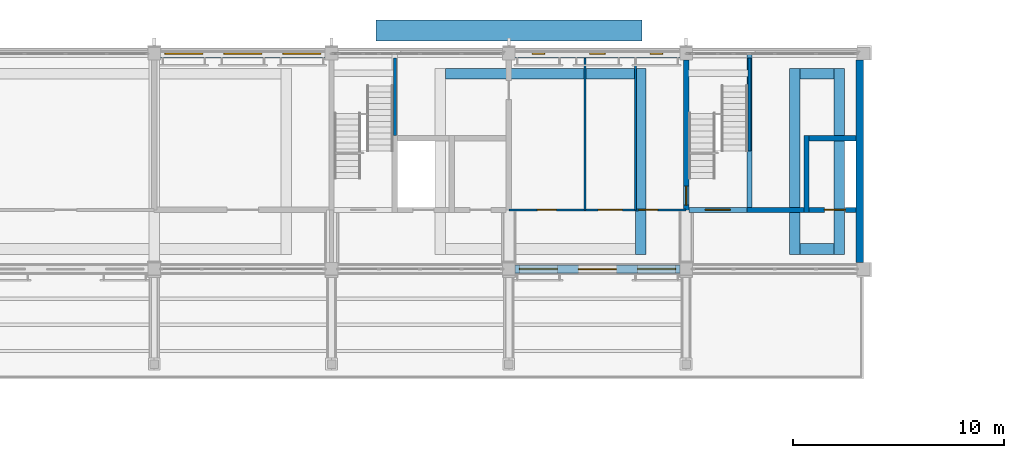
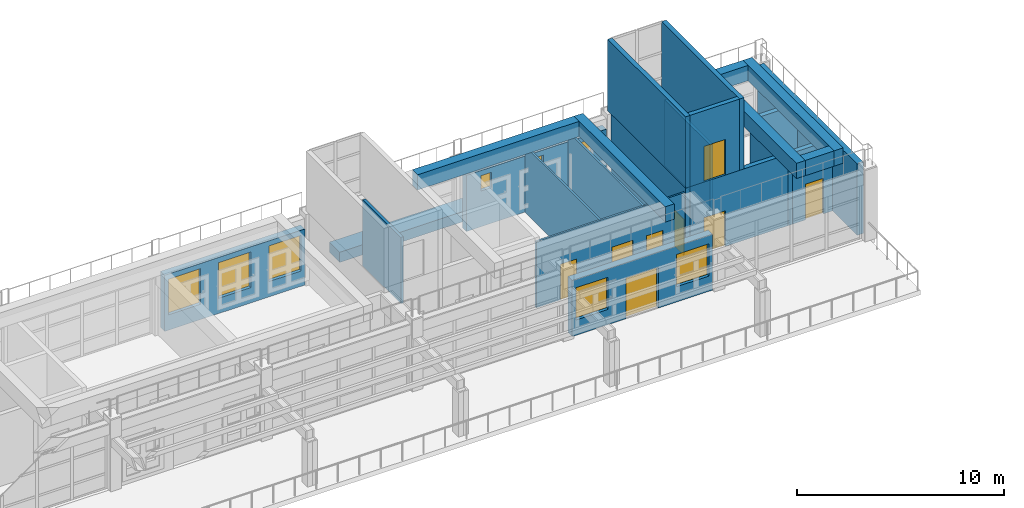
# One storey, part 59 of 105: 24 walls, 8 doors, 8 windows, 16 openings.
"""IFC4 building model written with IfcOpenShell, lengths in metres."""

import ifcopenshell
import ifcopenshell.guid

model = None  # the IFC model being written
_history = None  # IfcOwnerHistory: only IFC2X3 demands one
_inside = {}  # id of a spatial element -> (the spatial element, [elements in it])
_under = {}  # id of a project, library or spatial element -> (it, [spatial elements below it])
_declared = {}  # id of a project -> (the project, [libraries it declares])
_typed = {}  # id of a type object -> (the type object, [elements of that type])
_made_of = {}  # id of a material, layer set ... -> (it, [elements and type objects made of it])


def new_model(schema):
    """Start an empty IFC model of exactly this schema.

    Asked for "IFC4X3", IfcOpenShell would pick the latest addendum, in which some entities
    have other attributes; the version numbers below select the first issue.
    IFC2X3 requires an IfcOwnerHistory on every rooted entity: one is made here for all.
    """
    global model, _history
    if schema == "IFC4X3":
        model = ifcopenshell.file(schema_version=(4, 3, 0, 0))
    else:
        model = ifcopenshell.file(schema=schema)
    _inside.clear()
    _under.clear()
    _declared.clear()
    _typed.clear()
    _made_of.clear()
    _history = None
    if model.schema == "IFC2X3":
        org = make("IfcOrganization", Name="unknown")
        user = make(
            "IfcPersonAndOrganization",
            ThePerson=make("IfcPerson", FamilyName="unknown"),
            TheOrganization=org,
        )
        app = make(
            "IfcApplication",
            ApplicationDeveloper=org,
            Version="unknown",
            ApplicationFullName="unknown",
            ApplicationIdentifier="unknown",
        )
        _history = make(
            "IfcOwnerHistory",
            OwningUser=user,
            OwningApplication=app,
            ChangeAction="ADDED",
            CreationDate=0,
        )
    return model


def make(cls, **values):
    """One entity of the class cls with the attributes given. An attribute that is None is left unset."""
    return model.create_entity(
        cls, **{name: value for name, value in values.items() if value is not None}
    )


def rooted(cls, **values):
    """An entity with a GlobalId (a new one), such as an element, a storey or a relation."""
    return make(cls, GlobalId=ifcopenshell.guid.new(), OwnerHistory=_history, **values)


def si_unit(unit_type, name, prefix=None):
    """IfcSIUnit, for example si_unit("LENGTHUNIT", "METRE", prefix="MILLI")."""
    return make("IfcSIUnit", UnitType=unit_type, Prefix=prefix, Name=name)


def assignment(units):
    """IfcUnitAssignment: the units of a project."""
    return None if units is None else make("IfcUnitAssignment", Units=units)


def point(xyz):
    """IfcCartesianPoint."""
    return None if xyz is None else make("IfcCartesianPoint", Coordinates=xyz)


def direction(xyz):
    """IfcDirection."""
    return None if xyz is None else make("IfcDirection", DirectionRatios=xyz)


def frame(location, z_axis=None, x_axis=None):
    """IfcAxis2Placement3D, a coordinate frame: its origin and axes. An axis left out is left unset."""
    return make(
        "IfcAxis2Placement3D",
        Location=point(location),
        Axis=direction(z_axis),
        RefDirection=direction(x_axis),
    )


def frame_2d(location, x_axis=None):
    """IfcAxis2Placement2D, a coordinate frame in the plane: its origin and x axis."""
    return make(
        "IfcAxis2Placement2D", Location=point(location), RefDirection=direction(x_axis)
    )


def origin():
    """The frame at (0, 0, 0) with its axes left unset."""
    return frame((0.0, 0.0, 0.0))


def place(relative_to, where):
    """IfcLocalPlacement: puts the frame where relative to a parent placement (None: the world)."""
    return make(
        "IfcLocalPlacement", PlacementRelTo=relative_to, RelativePlacement=where
    )


def context(
    kind, dimensions, precision=None, world=None, true_north=None, identifier=None
):
    """IfcGeometricRepresentationContext, for example the 3D "Model" context."""
    return make(
        "IfcGeometricRepresentationContext",
        ContextIdentifier=identifier,
        ContextType=kind,
        CoordinateSpaceDimension=dimensions,
        Precision=precision,
        WorldCoordinateSystem=world,
        TrueNorth=true_north,
    )


def subcontext(parent, identifier, kind, view, scale=None):
    """IfcGeometricRepresentationSubContext, for example "Body" below "Model"."""
    return make(
        "IfcGeometricRepresentationSubContext",
        ContextIdentifier=identifier,
        ContextType=kind,
        ParentContext=parent,
        TargetScale=scale,
        TargetView=view,
    )


def project(units=None, contexts=None):
    """IfcProject with its units and contexts."""
    return rooted(
        "IfcProject",
        Name="project",
        RepresentationContexts=contexts,
        UnitsInContext=assignment(units),
    )


def spatial(cls, under=None, at=None, **own):
    """A site, building, storey or space (cls), placed at a placement, below another one or the project."""
    s = rooted(cls, ObjectPlacement=at, **own)
    if under is not None:
        _under.setdefault(under.id(), (under, []))[1].append(s)
    return s


def profile(cls, at=None, kind="AREA", **sizes):
    """A parametric profile (cls). Its sizes go by their IFC names, for example OverallWidth=200.0."""
    return make(cls, ProfileType=kind, Position=at, **sizes)


def rectangle(**sizes):
    """IfcRectangleProfileDef."""
    return profile("IfcRectangleProfileDef", **sizes)


def extrude(swept, where, along, depth):
    """IfcExtrudedAreaSolid: the profile swept, set in the frame where, extruded along a direction by depth."""
    return make(
        "IfcExtrudedAreaSolid",
        SweptArea=swept,
        Position=where,
        ExtrudedDirection=direction(along),
        Depth=depth,
    )


def shape(context_of_items, identifier, shape_type, items):
    """IfcShapeRepresentation: the items that make up one representation, for example the "Body"."""
    return make(
        "IfcShapeRepresentation",
        ContextOfItems=context_of_items,
        RepresentationIdentifier=identifier,
        RepresentationType=shape_type,
        Items=items,
    )


def material(Name=None, Category=None):
    """IfcMaterial."""
    return make("IfcMaterial", Name=Name, Category=Category)


def layer(
    of_material, thickness, ventilated=None, Name=None, Category=None, Priority=None
):
    """IfcMaterialLayer: one layer of a wall or slab, of a material (None: an air gap)."""
    return make(
        "IfcMaterialLayer",
        Material=of_material,
        LayerThickness=thickness,
        IsVentilated=ventilated,
        Name=Name,
        Category=Category,
        Priority=Priority,
    )


def layer_set(layers, Name=None):
    """IfcMaterialLayerSet."""
    return make("IfcMaterialLayerSet", MaterialLayers=layers, LayerSetName=Name)


def made_of(thing, what):
    """Note that an element or type object is made of a material, layer set ...; save() writes the relation."""
    if what is not None:
        _made_of.setdefault(what.id(), (what, []))[1].append(thing)
    return thing


def type_object(cls, material=None, **own):
    """A type object (cls), such as IfcWallType, which elements share."""
    return made_of(rooted(cls, **own), material)


def element(
    cls,
    number,
    at=None,
    inside=None,
    cuts=None,
    type_object=None,
    material=None,
    context=None,
    identifier="Body",
    shape_type=None,
    held_by="IfcProductDefinitionShape",
    body=None,
    shapes=None,
    **own,
):
    """One element of the class cls, such as IfcWall. Its Tag is "e" and its number.

    at: its placement. inside: the storey or other place that contains it. cuts: it is an
    opening in that element (IfcRelVoidsElement). A single representation is given by context,
    identifier, shape_type and body (its items); several are given by shapes. held_by: the class
    of the entity that holds the representations. save() writes the other relations.
    """
    e = rooted(cls, Tag="e%d" % number, ObjectPlacement=at, **own)
    if body is not None:
        shapes = [shape(context, identifier, shape_type, body)]
    if shapes is not None:
        e.Representation = make(held_by, Representations=shapes)
    if inside is not None:
        _inside.setdefault(inside.id(), (inside, []))[1].append(e)
    if cuts is not None:
        rooted(
            "IfcRelVoidsElement", RelatingBuildingElement=cuts, RelatedOpeningElement=e
        )
    if type_object is not None:
        _typed.setdefault(type_object.id(), (type_object, []))[1].append(e)
    return made_of(e, material)


def fill(opening, filler):
    """IfcRelFillsElement: the door or window that sits in an opening."""
    return rooted(
        "IfcRelFillsElement",
        RelatingOpeningElement=opening,
        RelatedBuildingElement=filler,
    )


def aggregate(whole, parts):
    """IfcRelAggregates: a whole, such as a stair, and the parts it consists of."""
    return rooted("IfcRelAggregates", RelatingObject=whole, RelatedObjects=parts)


def save(model, path):
    """Write the relations noted so far, then the file.

    IfcRelAggregates (storeys below a building ...), IfcRelContainedInSpatialStructure (elements
    in a storey), IfcRelDefinesByType, IfcRelAssociatesMaterial and IfcRelDeclares: one each for
    every whole, place, type object, material and project.
    """
    for whole, parts in _under.values():
        aggregate(whole, parts)
    for where, things in _inside.values():
        rooted(
            "IfcRelContainedInSpatialStructure",
            RelatedElements=things,
            RelatingStructure=where,
        )
    for kind, things in _typed.values():
        rooted("IfcRelDefinesByType", RelatedObjects=things, RelatingType=kind)
    for what, things in _made_of.values():
        rooted("IfcRelAssociatesMaterial", RelatedObjects=things, RelatingMaterial=what)
    for by, libraries in _declared.values():
        rooted("IfcRelDeclares", RelatingContext=by, RelatedDefinitions=libraries)
    model.write(path)


model = new_model("IFC4")

# Units and contexts
model_context = context("Model", 3, precision=1e-05, world=origin(), true_north=direction((0.0, 1.0)))
body_context = subcontext(model_context, "Body", "Model", "MODEL_VIEW")
ifc_project = project(units=[si_unit("LENGTHUNIT", "METRE"), si_unit("AREAUNIT", "SQUARE_METRE"), si_unit("VOLUMEUNIT", "CUBIC_METRE"), si_unit("PLANEANGLEUNIT", "RADIAN"), si_unit("MASSUNIT", "GRAM", prefix="KILO")], contexts=[model_context])

# Site, building, storey
site_placement = place(None, origin())
site = spatial("IfcSite", under=ifc_project, at=site_placement, CompositionType="ELEMENT")
building_placement = place(site_placement, origin())
building = spatial("IfcBuilding", under=site, at=building_placement, Name="Wasatch Bagh Community Centre", CompositionType="ELEMENT")
storey_placement = place(building_placement, frame((0.0, 0.0, 16.800048828125)))
storey = spatial("IfcBuildingStorey", under=building, at=storey_placement, Name="L04", CompositionType="ELEMENT", Elevation=16.800048828125)

# Wall, opening, door
ifc_material_1 = material(Name="Concrete C40", Category="concrete")
ifc_layer_1 = layer(ifc_material_1, 0.25)
ifc_layer_set_1 = layer_set([ifc_layer_1], Name="Concrete C40")
wall_type_1 = type_object("IfcWallType", Name="LW core wall 250", PredefinedType="SHEAR", material=ifc_layer_set_1)
wall_1_placement = place(storey_placement, frame((122.925048828125, 90.39990234375, 0.0), z_axis=(0.0, 0.0, 1.0), x_axis=(1.0, 0.0, 0.0)))
wall_1 = element("IfcWall", 1, at=wall_1_placement, inside=storey, type_object=wall_type_1, Name="LW.swall.L04.06", PredefinedType="SHEAR", context=body_context, shape_type="SweptSolid", body=[
    extrude(rectangle(XDim=5.449951171875, YDim=0.25, at=frame_2d((2.72509765625, 0.0))), origin(), (0.0, 0.0, 1.0), 4.199951171875),
])
opening_1_placement = place(wall_1_placement, frame((0.77490234375, 0.0, 0.0)))
opening_1 = element("IfcOpeningElement", 2, at=opening_1_placement, cuts=wall_1, Name="Opening 4L-16", PredefinedType="OPENING", context=body_context, shape_type="SweptSolid", body=[
    extrude(rectangle(XDim=1.199951171875, YDim=2.10009765625, at=frame_2d((0.60009765625, 1.050048828125))), frame((0.0, 0.135009765625, 0.0), z_axis=(0.0, -1.0, 0.0), x_axis=(1.0, 0.0, 0.0)), (0.0, 0.0, 1.0), 0.27001953125),
])
ifc_material_2 = material(Name="Painted timber", Category="wood")
door_type_1 = type_object("IfcDoorType", Name="LW stair door 1200x2100", OperationType="SINGLE_SWING_LEFT", PredefinedType="DOOR", material=ifc_material_2)
door_1_placement = place(opening_1_placement, origin())
door_1 = element("IfcDoor", 3, at=door_1_placement, inside=storey, type_object=door_type_1, Name="Stair door 4L-16", OperationType="SINGLE_SWING_RIGHT", OverallHeight=2.10009765625, OverallWidth=1.199951171875, PredefinedType="DOOR", context=body_context, shape_type="SweptSolid", body=[
    extrude(rectangle(XDim=1.199951171875, YDim=2.10009765625, at=frame_2d((0.60009765625, 1.050048828125))), frame((0.0, 0.02490234375, 0.0), z_axis=(0.0, -1.0, 0.0), x_axis=(1.0, 0.0, 0.0)), (0.0, 0.0, 1.0), 0.050048828125),
])
fill(opening_1, door_1)

wall_2_placement = place(storey_placement, frame((128.625, 90.39990234375, 0.0), z_axis=(0.0, 0.0, 1.0), x_axis=(1.0, 0.0, 0.0)))
wall_2 = element("IfcWall", 4, at=wall_2_placement, inside=storey, type_object=wall_type_1, Name="LW.swall.L04.07", PredefinedType="SHEAR", context=body_context, shape_type="SweptSolid", body=[
    extrude(rectangle(XDim=2.22509765625, YDim=0.25, at=frame_2d((1.112548828125, 0.0))), origin(), (0.0, 0.0, 1.0), 4.199951171875),
])
opening_2_placement = place(wall_2_placement, frame((0.72509765625, 0.0, 0.0)))
opening_2 = element("IfcOpeningElement", 5, at=opening_2_placement, cuts=wall_2, Name="Opening 4L-17", PredefinedType="OPENING", context=body_context, shape_type="SweptSolid", body=[
    extrude(rectangle(XDim=1.0, YDim=2.10009765625, at=frame_2d((0.5, 1.050048828125))), frame((0.0, 0.135009765625, 0.0), z_axis=(0.0, -1.0, 0.0), x_axis=(1.0, 0.0, 0.0)), (0.0, 0.0, 1.0), 0.27001953125),
])
ifc_material_3 = material(Name="Stainless steel landing door", Category="steel")
door_type_2 = type_object("IfcDoorType", Name="Lift landing door 1000 x 2100", OperationType="SLIDING_TO_LEFT", PredefinedType="DOOR", material=ifc_material_3)
door_2_placement = place(opening_2_placement, origin())
door_2 = element("IfcDoor", 6, at=door_2_placement, inside=storey, type_object=door_type_2, Name="Lift landing door LD 4L-17", OperationType="SLIDING_TO_LEFT", OverallHeight=2.10009765625, OverallWidth=1.0, PredefinedType="DOOR", context=body_context, shape_type="SweptSolid", body=[
    extrude(rectangle(XDim=1.0, YDim=2.10009765625, at=frame_2d((0.5, 1.050048828125))), frame((0.0, 0.02490234375, 0.0), z_axis=(0.0, -1.0, 0.0), x_axis=(1.0, 0.0, 0.0)), (0.0, 0.0, 1.0), 0.050048828125),
])
fill(opening_2, door_2)

# Wall
wall_3_placement = place(storey_placement, frame((128.625, 93.800048828125, 0.0), z_axis=(0.0, 0.0, 1.0), x_axis=(1.0, 0.0, 0.0)))
element("IfcWall", 7, at=wall_3_placement, inside=storey, type_object=wall_type_1, Name="LW.swall.L04.11", PredefinedType="SHEAR", context=body_context, shape_type="SweptSolid", body=[
    extrude(rectangle(XDim=2.22509765625, YDim=0.25, at=frame_2d((1.112548828125, 0.0))), origin(), (0.0, 0.0, 1.0), 4.199951171875),
])

# Wall, opening, door
wall_4_placement = place(storey_placement, frame((122.800048828125, 90.27490234375, 0.0), z_axis=(0.0, 0.0, 1.0), x_axis=(0.0, 1.0, 0.0)))
wall_4 = element("IfcWall", 8, at=wall_4_placement, inside=storey, type_object=wall_type_1, Name="LW.swall.L04.19", PredefinedType="SHEAR", context=body_context, shape_type="SweptSolid", body=[
    extrude(rectangle(XDim=7.22509765625, YDim=0.25, at=frame_2d((3.612548828125, 0.0))), origin(), (0.0, 0.0, 1.0), 4.199951171875),
])
opening_3_placement = place(wall_4_placement, frame((0.35009765625, 0.0, 0.0)))
opening_3 = element("IfcOpeningElement", 9, at=opening_3_placement, cuts=wall_4, Name="Opening 4L-10", PredefinedType="OPENING", context=body_context, shape_type="SweptSolid", body=[
    extrude(rectangle(XDim=0.89990234375, YDim=2.10009765625, at=frame_2d((0.449951171875, 1.050048828125))), frame((0.0, 0.135009765625, 0.0), z_axis=(0.0, -1.0, 0.0), x_axis=(1.0, 0.0, 0.0)), (0.0, 0.0, 1.0), 0.27001953125),
])
door_type_3 = type_object("IfcDoorType", Name="LW WC door 900x2100", OperationType="SINGLE_SWING_LEFT", PredefinedType="DOOR", material=ifc_material_2)
door_3_placement = place(opening_3_placement, origin())
door_3 = element("IfcDoor", 10, at=door_3_placement, inside=storey, type_object=door_type_3, Name="Door Men's Toilets 4L-10", OperationType="SINGLE_SWING_RIGHT", OverallHeight=2.10009765625, OverallWidth=0.89990234375, PredefinedType="DOOR", context=body_context, shape_type="SweptSolid", body=[
    extrude(rectangle(XDim=0.89990234375, YDim=2.10009765625, at=frame_2d((0.449951171875, 1.050048828125))), frame((0.0, 0.02490234375, 0.0), z_axis=(0.0, -1.0, 0.0), x_axis=(1.0, 0.0, 0.0)), (0.0, 0.0, 1.0), 0.050048828125),
])
fill(opening_3, door_3)

# Walls
wall_5_placement = place(storey_placement, frame((128.5, 90.27490234375, 0.0), z_axis=(0.0, 0.0, 1.0), x_axis=(0.0, 1.0, 0.0)))
element("IfcWall", 11, at=wall_5_placement, inside=storey, type_object=wall_type_1, Name="LW.swall.L04.20", PredefinedType="SHEAR", context=body_context, shape_type="SweptSolid", body=[
    extrude(rectangle(XDim=3.650146484375, YDim=0.25, at=frame_2d((1.8251953125, 0.0))), origin(), (0.0, 0.0, 1.0), 4.199951171875),
])
ifc_layer_2 = layer(ifc_material_1, 0.35009765625)
ifc_layer_set_2 = layer_set([ifc_layer_2], Name="Concrete C40")
wall_type_2 = type_object("IfcWallType", Name="LW end shear wall 350", PredefinedType="SHEAR", material=ifc_layer_set_2)
wall_6_placement = place(storey_placement, frame((131.02490234375, 97.5, 0.0), z_axis=(0.0, 0.0, 1.0), x_axis=(0.0, -1.0, 0.0)))
element("IfcWall", 12, at=wall_6_placement, inside=storey, type_object=wall_type_2, Name="LW.swall.L04.21", PredefinedType="SHEAR", context=body_context, shape_type="SweptSolid", body=[
    extrude(rectangle(XDim=9.60009765625, YDim=0.35009765625, at=frame_2d((4.800048828125, 0.0))), origin(), (0.0, 0.0, 1.0), 4.199951171875),
])

# Wall, openings, door, windows
ifc_material_4 = material(Name="Concrete C35", Category="concrete")
ifc_layer_3 = layer(ifc_material_4, 0.39990234375)
ifc_layer_set_3 = layer_set([ifc_layer_3], Name="Concrete C35")
wall_type_3 = type_object("IfcWallType", Name="LW facade wall 400", PredefinedType="SOLIDWALL", material=ifc_layer_set_3)
wall_7_placement = place(storey_placement, frame((114.699951171875, 87.60009765625, 0.0), z_axis=(0.0, 0.0, 1.0), x_axis=(1.0, 0.0, 0.0)))
wall_7 = element("IfcWall", 13, at=wall_7_placement, inside=storey, type_object=wall_type_3, Name="Facade wall", PredefinedType="SOLIDWALL", context=body_context, shape_type="SweptSolid", body=[
    extrude(rectangle(XDim=7.800048828125, YDim=0.39990234375, at=frame_2d((3.89990234375, 0.0))), origin(), (0.0, 0.0, 1.0), 3.300048828125),
])
opening_4_placement = place(wall_7_placement, frame((3.0, 0.0, 0.0)))
opening_4 = element("IfcOpeningElement", 14, at=opening_4_placement, cuts=wall_7, Name="Opening 4L-02", PredefinedType="OPENING", context=body_context, shape_type="SweptSolid", body=[
    extrude(rectangle(XDim=1.800048828125, YDim=2.39990234375, at=frame_2d((0.89990234375, 1.199951171875))), frame((0.0, 0.2099609375, 0.0), z_axis=(0.0, -1.0, 0.0), x_axis=(1.0, 0.0, 0.0)), (0.0, 0.0, 1.0), 0.419921875),
])
opening_5_placement = place(wall_7_placement, frame((0.199951171875, 0.0, 0.89990234375)))
opening_5 = element("IfcOpeningElement", 15, at=opening_5_placement, cuts=wall_7, Name="Opening 4L-W003", PredefinedType="OPENING", context=body_context, shape_type="SweptSolid", body=[
    extrude(rectangle(XDim=1.800048828125, YDim=1.89990234375, at=frame_2d((0.89990234375, 0.949951171875))), frame((0.0, 0.2099609375, 0.0), z_axis=(0.0, -1.0, 0.0), x_axis=(1.0, 0.0, 0.0)), (0.0, 0.0, 1.0), 0.419921875),
])
opening_6_placement = place(wall_7_placement, frame((5.800048828125, 0.0, 0.89990234375)))
opening_6 = element("IfcOpeningElement", 16, at=opening_6_placement, cuts=wall_7, Name="Opening 4L-W004", PredefinedType="OPENING", context=body_context, shape_type="SweptSolid", body=[
    extrude(rectangle(XDim=1.800048828125, YDim=1.89990234375, at=frame_2d((0.89990234375, 0.949951171875))), frame((0.0, 0.2099609375, 0.0), z_axis=(0.0, -1.0, 0.0), x_axis=(1.0, 0.0, 0.0)), (0.0, 0.0, 1.0), 0.419921875),
])
ifc_material_5 = material(Name="Aluminium framed glazed door", Category="aluminium")
door_type_4 = type_object("IfcDoorType", Name="LW terrace door pair 1800x2400", OperationType="DOUBLE_DOOR_SINGLE_SWING", PredefinedType="DOOR", material=ifc_material_5)
door_4_placement = place(opening_4_placement, origin())
door_4 = element("IfcDoor", 17, at=door_4_placement, inside=storey, type_object=door_type_4, Name="Terrace door 4L-02", OperationType="DOUBLE_DOOR_SINGLE_SWING", OverallHeight=2.39990234375, OverallWidth=1.800048828125, PredefinedType="DOOR", context=body_context, shape_type="SweptSolid", body=[
    extrude(rectangle(XDim=1.800048828125, YDim=2.39990234375, at=frame_2d((0.89990234375, 1.199951171875))), frame((0.0, 0.02490234375, 0.0), z_axis=(0.0, -1.0, 0.0), x_axis=(1.0, 0.0, 0.0)), (0.0, 0.0, 1.0), 0.050048828125),
])
fill(opening_4, door_4)
ifc_material_6 = material(Name="Aluminium framed double glazing", Category="aluminium")
window_type_1 = type_object("IfcWindowType", Name="LW window 1800x1900", PartitioningType="SINGLE_PANEL", PredefinedType="WINDOW", material=ifc_material_6)
window_1_placement = place(opening_5_placement, origin())
window_1 = element("IfcWindow", 18, at=window_1_placement, inside=storey, type_object=window_type_1, Name="Window 4L-W003", OverallHeight=1.89990234375, OverallWidth=1.800048828125, PartitioningType="SINGLE_PANEL", PredefinedType="WINDOW", context=body_context, shape_type="SweptSolid", body=[
    extrude(rectangle(XDim=1.800048828125, YDim=1.89990234375, at=frame_2d((0.89990234375, 0.949951171875))), frame((0.0, 0.030029296875, 0.0), z_axis=(0.0, -1.0, 0.0), x_axis=(1.0, 0.0, 0.0)), (0.0, 0.0, 1.0), 0.06005859375),
])
fill(opening_5, window_1)
window_2_placement = place(opening_6_placement, origin())
window_2 = element("IfcWindow", 19, at=window_2_placement, inside=storey, type_object=window_type_1, Name="Window 4L-W004", OverallHeight=1.89990234375, OverallWidth=1.800048828125, PartitioningType="SINGLE_PANEL", PredefinedType="WINDOW", context=body_context, shape_type="SweptSolid", body=[
    extrude(rectangle(XDim=1.800048828125, YDim=1.89990234375, at=frame_2d((0.89990234375, 0.949951171875))), frame((0.0, 0.030029296875, 0.0), z_axis=(0.0, -1.0, 0.0), x_axis=(1.0, 0.0, 0.0)), (0.0, 0.0, 1.0), 0.06005859375),
])
fill(opening_6, window_2)

# Wall, openings, windows
wall_8_placement = place(storey_placement, frame((97.89990234375, 97.800048828125, 0.0), z_axis=(0.0, 0.0, 1.0), x_axis=(1.0, 0.0, 0.0)))
wall_8 = element("IfcWall", 20, at=wall_8_placement, inside=storey, type_object=wall_type_3, Name="Facade wall", PredefinedType="SOLIDWALL", context=body_context, shape_type="SweptSolid", body=[
    extrude(rectangle(XDim=7.800048828125, YDim=0.39990234375, at=frame_2d((3.89990234375, 0.0))), origin(), (0.0, 0.0, 1.0), 3.300048828125),
])
opening_7_placement = place(wall_8_placement, frame((0.199951171875, 0.0, 0.89990234375)))
opening_7 = element("IfcOpeningElement", 21, at=opening_7_placement, cuts=wall_8, Name="Opening 4L-W005", PredefinedType="OPENING", context=body_context, shape_type="SweptSolid", body=[
    extrude(rectangle(XDim=1.800048828125, YDim=2.10009765625, at=frame_2d((0.89990234375, 1.050048828125))), frame((0.0, 0.2099609375, 0.0), z_axis=(0.0, -1.0, 0.0), x_axis=(1.0, 0.0, 0.0)), (0.0, 0.0, 1.0), 0.419921875),
])
opening_8_placement = place(wall_8_placement, frame((3.0, 0.0, 0.89990234375)))
opening_8 = element("IfcOpeningElement", 22, at=opening_8_placement, cuts=wall_8, Name="Opening 4L-W006", PredefinedType="OPENING", context=body_context, shape_type="SweptSolid", body=[
    extrude(rectangle(XDim=1.800048828125, YDim=2.10009765625, at=frame_2d((0.89990234375, 1.050048828125))), frame((0.0, 0.2099609375, 0.0), z_axis=(0.0, -1.0, 0.0), x_axis=(1.0, 0.0, 0.0)), (0.0, 0.0, 1.0), 0.419921875),
])
opening_9_placement = place(wall_8_placement, frame((5.800048828125, 0.0, 0.89990234375)))
opening_9 = element("IfcOpeningElement", 23, at=opening_9_placement, cuts=wall_8, Name="Opening 4L-W007", PredefinedType="OPENING", context=body_context, shape_type="SweptSolid", body=[
    extrude(rectangle(XDim=1.800048828125, YDim=2.10009765625, at=frame_2d((0.89990234375, 1.050048828125))), frame((0.0, 0.2099609375, 0.0), z_axis=(0.0, -1.0, 0.0), x_axis=(1.0, 0.0, 0.0)), (0.0, 0.0, 1.0), 0.419921875),
])
window_type_2 = type_object("IfcWindowType", Name="LW window 1800x2100", PartitioningType="SINGLE_PANEL", PredefinedType="WINDOW", material=ifc_material_6)
window_3_placement = place(opening_7_placement, origin())
window_3 = element("IfcWindow", 24, at=window_3_placement, inside=storey, type_object=window_type_2, Name="Window 4L-W005", OverallHeight=2.10009765625, OverallWidth=1.800048828125, PartitioningType="SINGLE_PANEL", PredefinedType="WINDOW", context=body_context, shape_type="SweptSolid", body=[
    extrude(rectangle(XDim=1.800048828125, YDim=2.10009765625, at=frame_2d((0.89990234375, 1.050048828125))), frame((0.0, 0.030029296875, 0.0), z_axis=(0.0, -1.0, 0.0), x_axis=(1.0, 0.0, 0.0)), (0.0, 0.0, 1.0), 0.06005859375),
])
fill(opening_7, window_3)
window_4_placement = place(opening_8_placement, origin())
window_4 = element("IfcWindow", 25, at=window_4_placement, inside=storey, type_object=window_type_2, Name="Window 4L-W006", OverallHeight=2.10009765625, OverallWidth=1.800048828125, PartitioningType="SINGLE_PANEL", PredefinedType="WINDOW", context=body_context, shape_type="SweptSolid", body=[
    extrude(rectangle(XDim=1.800048828125, YDim=2.10009765625, at=frame_2d((0.89990234375, 1.050048828125))), frame((0.0, 0.030029296875, 0.0), z_axis=(0.0, -1.0, 0.0), x_axis=(1.0, 0.0, 0.0)), (0.0, 0.0, 1.0), 0.06005859375),
])
fill(opening_8, window_4)
window_5_placement = place(opening_9_placement, origin())
window_5 = element("IfcWindow", 26, at=window_5_placement, inside=storey, type_object=window_type_2, Name="Window 4L-W007", OverallHeight=2.10009765625, OverallWidth=1.800048828125, PartitioningType="SINGLE_PANEL", PredefinedType="WINDOW", context=body_context, shape_type="SweptSolid", body=[
    extrude(rectangle(XDim=1.800048828125, YDim=2.10009765625, at=frame_2d((0.89990234375, 1.050048828125))), frame((0.0, 0.030029296875, 0.0), z_axis=(0.0, -1.0, 0.0), x_axis=(1.0, 0.0, 0.0)), (0.0, 0.0, 1.0), 0.06005859375),
])
fill(opening_9, window_5)

wall_9_placement = place(storey_placement, frame((114.699951171875, 97.800048828125, 0.0), z_axis=(0.0, 0.0, 1.0), x_axis=(1.0, 0.0, 0.0)))
wall_9 = element("IfcWall", 27, at=wall_9_placement, inside=storey, type_object=wall_type_3, Name="Facade wall", PredefinedType="SOLIDWALL", context=body_context, shape_type="SweptSolid", body=[
    extrude(rectangle(XDim=7.800048828125, YDim=0.39990234375, at=frame_2d((3.89990234375, 0.0))), origin(), (0.0, 0.0, 1.0), 3.300048828125),
])
opening_10_placement = place(wall_9_placement, frame((0.800048828125, 0.0, 2.10009765625)))
opening_10 = element("IfcOpeningElement", 28, at=opening_10_placement, cuts=wall_9, Name="Opening 4L-W008", PredefinedType="OPENING", context=body_context, shape_type="SweptSolid", body=[
    extrude(rectangle(XDim=0.60009765625, YDim=0.89990234375, at=frame_2d((0.300048828125, 0.449951171875))), frame((0.0, 0.2099609375, 0.0), z_axis=(0.0, -1.0, 0.0), x_axis=(1.0, 0.0, 0.0)), (0.0, 0.0, 1.0), 0.419921875),
])
opening_11_placement = place(wall_9_placement, frame((3.52490234375, 0.0, 2.10009765625)))
opening_11 = element("IfcOpeningElement", 29, at=opening_11_placement, cuts=wall_9, Name="Opening 4L-W009", PredefinedType="OPENING", context=body_context, shape_type="SweptSolid", body=[
    extrude(rectangle(XDim=0.75, YDim=0.89990234375, at=frame_2d((0.375, 0.449951171875))), frame((0.0, 0.2099609375, 0.0), z_axis=(0.0, -1.0, 0.0), x_axis=(1.0, 0.0, 0.0)), (0.0, 0.0, 1.0), 0.419921875),
])
opening_12_placement = place(wall_9_placement, frame((6.39990234375, 0.0, 2.10009765625)))
opening_12 = element("IfcOpeningElement", 30, at=opening_12_placement, cuts=wall_9, Name="Opening 4L-W010", PredefinedType="OPENING", context=body_context, shape_type="SweptSolid", body=[
    extrude(rectangle(XDim=0.60009765625, YDim=0.89990234375, at=frame_2d((0.300048828125, 0.449951171875))), frame((0.0, 0.2099609375, 0.0), z_axis=(0.0, -1.0, 0.0), x_axis=(1.0, 0.0, 0.0)), (0.0, 0.0, 1.0), 0.419921875),
])
window_type_3 = type_object("IfcWindowType", Name="LW WC window 600x900", PartitioningType="SINGLE_PANEL", PredefinedType="WINDOW", material=ifc_material_6)
window_6_placement = place(opening_10_placement, origin())
window_6 = element("IfcWindow", 31, at=window_6_placement, inside=storey, type_object=window_type_3, Name="Window 4L-W008", OverallHeight=0.89990234375, OverallWidth=0.60009765625, PartitioningType="SINGLE_PANEL", PredefinedType="WINDOW", context=body_context, shape_type="SweptSolid", body=[
    extrude(rectangle(XDim=0.60009765625, YDim=0.89990234375, at=frame_2d((0.300048828125, 0.449951171875))), frame((0.0, 0.030029296875, 0.0), z_axis=(0.0, -1.0, 0.0), x_axis=(1.0, 0.0, 0.0)), (0.0, 0.0, 1.0), 0.06005859375),
])
fill(opening_10, window_6)
window_7_placement = place(opening_12_placement, origin())
window_7 = element("IfcWindow", 32, at=window_7_placement, inside=storey, type_object=window_type_3, Name="Window 4L-W010", OverallHeight=0.89990234375, OverallWidth=0.60009765625, PartitioningType="SINGLE_PANEL", PredefinedType="WINDOW", context=body_context, shape_type="SweptSolid", body=[
    extrude(rectangle(XDim=0.60009765625, YDim=0.89990234375, at=frame_2d((0.300048828125, 0.449951171875))), frame((0.0, 0.030029296875, 0.0), z_axis=(0.0, -1.0, 0.0), x_axis=(1.0, 0.0, 0.0)), (0.0, 0.0, 1.0), 0.06005859375),
])
fill(opening_12, window_7)
window_type_4 = type_object("IfcWindowType", Name="LW accessible WC window 750x900", PartitioningType="SINGLE_PANEL", PredefinedType="WINDOW", material=ifc_material_6)
window_8_placement = place(opening_11_placement, origin())
window_8 = element("IfcWindow", 33, at=window_8_placement, inside=storey, type_object=window_type_4, Name="Window 4L-W009", OverallHeight=0.89990234375, OverallWidth=0.75, PartitioningType="SINGLE_PANEL", PredefinedType="WINDOW", context=body_context, shape_type="SweptSolid", body=[
    extrude(rectangle(XDim=0.75, YDim=0.89990234375, at=frame_2d((0.375, 0.449951171875))), frame((0.0, 0.030029296875, 0.0), z_axis=(0.0, -1.0, 0.0), x_axis=(1.0, 0.0, 0.0)), (0.0, 0.0, 1.0), 0.06005859375),
])
fill(opening_11, window_8)

# Walls
ifc_material_7 = material(Name="Gypsum board on steel studs", Category="steel")
ifc_layer_4 = layer(ifc_material_7, 0.14990234375)
ifc_layer_set_4 = layer_set([ifc_layer_4], Name="Gypsum board on steel studs")
wall_type_4 = type_object("IfcWallType", Name="LW partition 150", PredefinedType="PARTITIONING", material=ifc_layer_set_4)
wall_10_placement = place(storey_placement, frame((109.0, 93.925048828125, 0.0), z_axis=(0.0, 0.0, 1.0), x_axis=(0.0, 1.0, 0.0)))
element("IfcWall", 34, at=wall_10_placement, inside=storey, type_object=wall_type_4, Name="Stair compartment wall", PredefinedType="PARTITIONING", context=body_context, shape_type="SweptSolid", body=[
    extrude(rectangle(XDim=3.675048828125, YDim=0.14990234375, at=frame_2d((1.83740234375, 0.0))), origin(), (0.0, 0.0, 1.0), 3.89990234375),
])
wall_11_placement = place(storey_placement, frame((125.800048828125, 93.199951171875, 0.0), z_axis=(0.0, 0.0, 1.0), x_axis=(0.0, 1.0, 0.0)))
element("IfcWall", 35, at=wall_11_placement, inside=storey, type_object=wall_type_4, Name="Stair compartment wall", PredefinedType="PARTITIONING", context=body_context, shape_type="SweptSolid", body=[
    extrude(rectangle(XDim=4.400146484375, YDim=0.14990234375, at=frame_2d((2.2001953125, 0.0))), origin(), (0.0, 0.0, 1.0), 3.89990234375),
])
ifc_layer_5 = layer(ifc_material_4, 0.5)
ifc_layer_set_5 = layer_set([ifc_layer_5], Name="Concrete C35")
wall_type_5 = type_object("IfcWallType", Name="LW planter trough wall 500", PredefinedType="SOLIDWALL", material=ifc_layer_set_5)
for number, where, z_axis, x_axis, name in (
    (36, (128.199951171875, 88.550048828125, 4.199951171875), (0.0, 0.0, 1.0), (1.0, 0.0, 0.0), "Planter wall T5"),
    (37, (128.199951171875, 96.85009765625, 4.199951171875), (0.0, 0.0, 1.0), (1.0, 0.0, 0.0), "Planter wall T5"),
):
    element("IfcWall", number, at=place(storey_placement, frame(where, z_axis=z_axis, x_axis=x_axis)), inside=storey, type_object=wall_type_5, Name=name, PredefinedType="SOLIDWALL", context=body_context, shape_type="SweptSolid", body=[
        extrude(rectangle(XDim=1.60009765625, YDim=0.5, at=frame_2d((0.800048828125, 0.0))), origin(), (0.0, 0.0, 1.0), 0.89990234375),
    ])
for number, where, z_axis, x_axis, name in (
    (38, (127.949951171875, 88.300048828125, 4.199951171875), (0.0, 0.0, 1.0), (0.0, 1.0, 0.0), "Planter wall T5"),
    (39, (130.050048828125, 88.300048828125, 4.199951171875), (0.0, 0.0, 1.0), (0.0, 1.0, 0.0), "Planter wall T5"),
):
    element("IfcWall", number, at=place(storey_placement, frame(where, z_axis=z_axis, x_axis=x_axis)), inside=storey, type_object=wall_type_5, Name=name, PredefinedType="SOLIDWALL", context=body_context, shape_type="SweptSolid", body=[
        extrude(rectangle(XDim=8.800048828125, YDim=0.5, at=frame_2d((4.39990234375, 0.0))), origin(), (0.0, 0.0, 1.0), 0.89990234375),
    ])
wall_12_placement = place(storey_placement, frame((111.39990234375, 96.85009765625, 4.199951171875), z_axis=(0.0, 0.0, 1.0), x_axis=(1.0, 0.0, 0.0)))
element("IfcWall", 40, at=wall_12_placement, inside=storey, type_object=wall_type_5, Name="Planter wall T5", PredefinedType="SOLIDWALL", context=body_context, shape_type="SweptSolid", body=[
    extrude(rectangle(XDim=9.0, YDim=0.5, at=frame_2d((4.5, 0.0))), origin(), (0.0, 0.0, 1.0), 0.89990234375),
])
wall_13_placement = place(storey_placement, frame((120.64990234375, 88.300048828125, 4.199951171875), z_axis=(0.0, 0.0, 1.0), x_axis=(0.0, 1.0, 0.0)))
element("IfcWall", 41, at=wall_13_placement, inside=storey, type_object=wall_type_5, Name="Planter wall T5", PredefinedType="SOLIDWALL", context=body_context, shape_type="SweptSolid", body=[
    extrude(rectangle(XDim=8.800048828125, YDim=0.5, at=frame_2d((4.39990234375, 0.0))), origin(), (0.0, 0.0, 1.0), 0.89990234375),
])
ifc_layer_6 = layer(ifc_material_1, 0.25)
ifc_layer_set_6 = layer_set([ifc_layer_6], Name="Concrete C40")
wall_type_6 = type_object("IfcWallType", Name="LW stair head house wall 250", PredefinedType="SHEAR", material=ifc_layer_set_6)
for number, where, z_axis, x_axis, name in (
    (42, (122.800048828125, 90.27490234375, 4.199951171875), (0.0, 0.0, 1.0), (0.0, 1.0, 0.0), "Stair head house wall"),
    (43, (125.800048828125, 90.27490234375, 4.199951171875), (0.0, 0.0, 1.0), (0.0, 1.0, 0.0), "Stair head house wall"),
):
    element("IfcWall", number, at=place(storey_placement, frame(where, z_axis=z_axis, x_axis=x_axis)), inside=storey, type_object=wall_type_6, Name=name, PredefinedType="SHEAR", context=body_context, shape_type="SweptSolid", body=[
        extrude(rectangle(XDim=7.525146484375, YDim=0.25, at=frame_2d((3.7626953125, 0.0))), origin(), (0.0, 0.0, 1.0), 4.199951171875),
    ])

# Wall, opening, door
wall_14_placement = place(storey_placement, frame((122.925048828125, 90.39990234375, 4.199951171875), z_axis=(0.0, 0.0, 1.0), x_axis=(1.0, 0.0, 0.0)))
wall_14 = element("IfcWall", 44, at=wall_14_placement, inside=storey, type_object=wall_type_6, Name="Stair head house wall", PredefinedType="SHEAR", context=body_context, shape_type="SweptSolid", body=[
    extrude(rectangle(XDim=2.75, YDim=0.25, at=frame_2d((1.375, 0.0))), origin(), (0.0, 0.0, 1.0), 4.199951171875),
])
opening_13_placement = place(wall_14_placement, frame((0.77490234375, 0.0, 0.0)))
opening_13 = element("IfcOpeningElement", 45, at=opening_13_placement, cuts=wall_14, Name="Opening 4L-20", PredefinedType="OPENING", context=body_context, shape_type="SweptSolid", body=[
    extrude(rectangle(XDim=1.199951171875, YDim=2.10009765625, at=frame_2d((0.60009765625, 1.050048828125))), frame((0.0, 0.135009765625, 0.0), z_axis=(0.0, -1.0, 0.0), x_axis=(1.0, 0.0, 0.0)), (0.0, 0.0, 1.0), 0.27001953125),
])
door_5_placement = place(opening_13_placement, origin())
door_5 = element("IfcDoor", 46, at=door_5_placement, inside=storey, type_object=door_type_1, Name="Roof door 4L-20", OperationType="SINGLE_SWING_RIGHT", OverallHeight=2.10009765625, OverallWidth=1.199951171875, PredefinedType="DOOR", context=body_context, shape_type="SweptSolid", body=[
    extrude(rectangle(XDim=1.199951171875, YDim=2.10009765625, at=frame_2d((0.60009765625, 1.050048828125))), frame((0.0, 0.02490234375, 0.0), z_axis=(0.0, -1.0, 0.0), x_axis=(1.0, 0.0, 0.0)), (0.0, 0.0, 1.0), 0.050048828125),
])
fill(opening_13, door_5)

# Wall, openings, doors
ifc_material_8 = material(Name="Tiled blockwork", Category="masonry")
ifc_layer_7 = layer(ifc_material_8, 0.10009765625)
ifc_layer_set_7 = layer_set([ifc_layer_7], Name="Tiled blockwork")
wall_type_7 = type_object("IfcWallType", Name="LW wet-room partition 100", PredefinedType="PARTITIONING", material=ifc_layer_set_7)
wall_15_placement = place(storey_placement, frame((114.39990234375, 90.39990234375, 0.0), z_axis=(0.0, 0.0, 1.0), x_axis=(1.0, 0.0, 0.0)))
wall_15 = element("IfcWall", 47, at=wall_15_placement, inside=storey, type_object=wall_type_7, Name="LW.part.L04.003", PredefinedType="PARTITIONING", context=body_context, shape_type="SweptSolid", body=[
    extrude(rectangle(XDim=8.400146484375, YDim=0.10009765625, at=frame_2d((4.2001953125, 0.0))), origin(), (0.0, 0.0, 1.0), 3.89990234375),
])
opening_14_placement = place(wall_15_placement, frame((1.35009765625, 0.0, 0.0)))
opening_14 = element("IfcOpeningElement", 48, at=opening_14_placement, cuts=wall_15, Name="Opening 4L-06", PredefinedType="OPENING", context=body_context, shape_type="SweptSolid", body=[
    extrude(rectangle(XDim=0.89990234375, YDim=2.10009765625, at=frame_2d((0.449951171875, 1.050048828125))), frame((0.0, 0.06005859375, 0.0), z_axis=(0.0, -1.0, 0.0), x_axis=(1.0, 0.0, 0.0)), (0.0, 0.0, 1.0), 0.1201171875),
])
opening_15_placement = place(wall_15_placement, frame((4.22509765625, 0.0, 0.0)))
opening_15 = element("IfcOpeningElement", 49, at=opening_15_placement, cuts=wall_15, Name="Opening 4L-08", PredefinedType="OPENING", context=body_context, shape_type="SweptSolid", body=[
    extrude(rectangle(XDim=1.14990234375, YDim=2.10009765625, at=frame_2d((0.574951171875, 1.050048828125))), frame((0.0, 0.06005859375, 0.0), z_axis=(0.0, -1.0, 0.0), x_axis=(1.0, 0.0, 0.0)), (0.0, 0.0, 1.0), 0.1201171875),
])
opening_16_placement = place(wall_15_placement, frame((6.14990234375, 0.0, 0.0)))
opening_16 = element("IfcOpeningElement", 50, at=opening_16_placement, cuts=wall_15, Name="Opening 4L-09", PredefinedType="OPENING", context=body_context, shape_type="SweptSolid", body=[
    extrude(rectangle(XDim=0.89990234375, YDim=2.10009765625, at=frame_2d((0.449951171875, 1.050048828125))), frame((0.0, 0.06005859375, 0.0), z_axis=(0.0, -1.0, 0.0), x_axis=(1.0, 0.0, 0.0)), (0.0, 0.0, 1.0), 0.1201171875),
])
door_6_placement = place(opening_14_placement, origin())
door_6 = element("IfcDoor", 51, at=door_6_placement, inside=storey, type_object=door_type_3, Name="Door Women's Toilets 4L-06", OperationType="SINGLE_SWING_RIGHT", OverallHeight=2.10009765625, OverallWidth=0.89990234375, PredefinedType="DOOR", context=body_context, shape_type="SweptSolid", body=[
    extrude(rectangle(XDim=0.89990234375, YDim=2.10009765625, at=frame_2d((0.449951171875, 1.050048828125))), frame((0.0, 0.02490234375, 0.0), z_axis=(0.0, -1.0, 0.0), x_axis=(1.0, 0.0, 0.0)), (0.0, 0.0, 1.0), 0.050048828125),
])
fill(opening_14, door_6)
door_7_placement = place(opening_16_placement, origin())
door_7 = element("IfcDoor", 52, at=door_7_placement, inside=storey, type_object=door_type_3, Name="Door Men's Toilets 4L-09", OperationType="SINGLE_SWING_LEFT", OverallHeight=2.10009765625, OverallWidth=0.89990234375, PredefinedType="DOOR", context=body_context, shape_type="SweptSolid", body=[
    extrude(rectangle(XDim=0.89990234375, YDim=2.10009765625, at=frame_2d((0.449951171875, 1.050048828125))), frame((0.0, 0.02490234375, 0.0), z_axis=(0.0, -1.0, 0.0), x_axis=(1.0, 0.0, 0.0)), (0.0, 0.0, 1.0), 0.050048828125),
])
fill(opening_16, door_7)
door_type_5 = type_object("IfcDoorType", Name="LW accessible WC door 1150x2100", OperationType="SINGLE_SWING_LEFT", PredefinedType="DOOR", material=ifc_material_2)
door_8_placement = place(opening_15_placement, origin())
door_8 = element("IfcDoor", 53, at=door_8_placement, inside=storey, type_object=door_type_5, Name="Door Accessible WC 5 4L-08", OperationType="SINGLE_SWING_RIGHT", OverallHeight=2.10009765625, OverallWidth=1.14990234375, PredefinedType="DOOR", context=body_context, shape_type="SweptSolid", body=[
    extrude(rectangle(XDim=1.14990234375, YDim=2.10009765625, at=frame_2d((0.574951171875, 1.050048828125))), frame((0.0, 0.02490234375, 0.0), z_axis=(0.0, -1.0, 0.0), x_axis=(1.0, 0.0, 0.0)), (0.0, 0.0, 1.0), 0.050048828125),
])
fill(opening_15, door_8)

# Walls
for number, where, z_axis, x_axis, name in (
    (54, (118.0, 90.39990234375, 0.0), (0.0, 0.0, 1.0), (0.0, 1.0, 0.0), "LW.part.L04.006"),
    (55, (120.39990234375, 90.39990234375, 0.0), (0.0, 0.0, 1.0), (0.0, 1.0, 0.0), "LW.part.L04.007"),
):
    element("IfcWall", number, at=place(storey_placement, frame(where, z_axis=z_axis, x_axis=x_axis)), inside=storey, type_object=wall_type_7, Name=name, PredefinedType="PARTITIONING", context=body_context, shape_type="SweptSolid", body=[
        extrude(rectangle(XDim=7.2001953125, YDim=0.10009765625, at=frame_2d((3.60009765625, 0.0))), origin(), (0.0, 0.0, 1.0), 3.89990234375),
    ])
ifc_layer_8 = layer(ifc_material_1, 1.0)
ifc_layer_set_8 = layer_set([ifc_layer_8], Name="Concrete C40")
wall_type_8 = type_object("IfcWallType", Name="LWPQ-W4", PredefinedType="STANDARD", material=ifc_layer_set_8)
wall_16_placement = place(storey_placement, frame((108.10009765625, 98.89990234375, 0.0), z_axis=(0.0, 0.0, 1.0), x_axis=(1.0, 0.0, 0.0)))
element("IfcWall", 56, at=wall_16_placement, inside=storey, type_object=wall_type_8, Name="LWPQ-W4 iwan cornice band", PredefinedType="STANDARD", context=body_context, shape_type="SweptSolid", body=[
    extrude(rectangle(XDim=12.599853515625, YDim=1.0, at=frame_2d((6.2998046875, 0.0))), origin(), (0.0, 0.0, 1.0), 0.599853515625),
])

save(model, "model.ifc")
